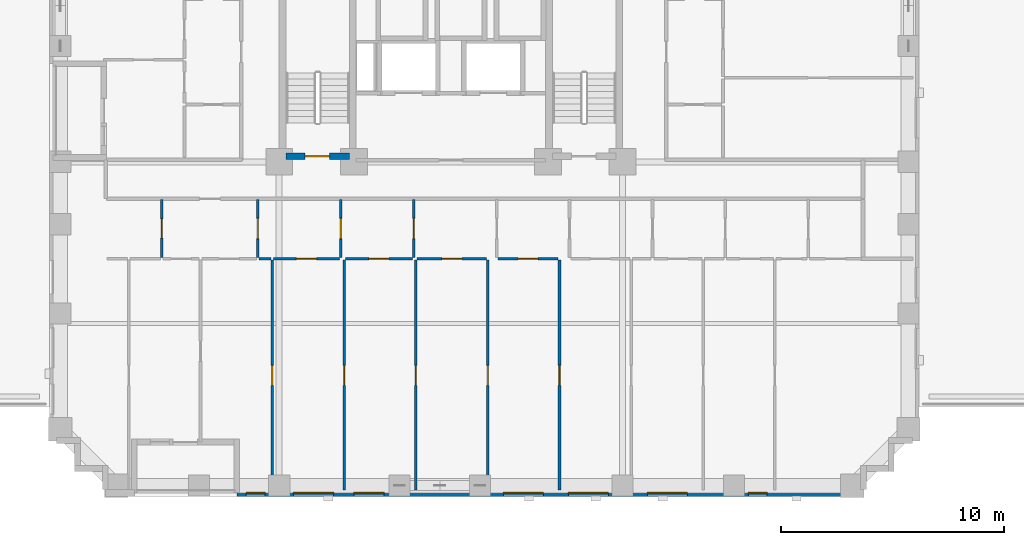
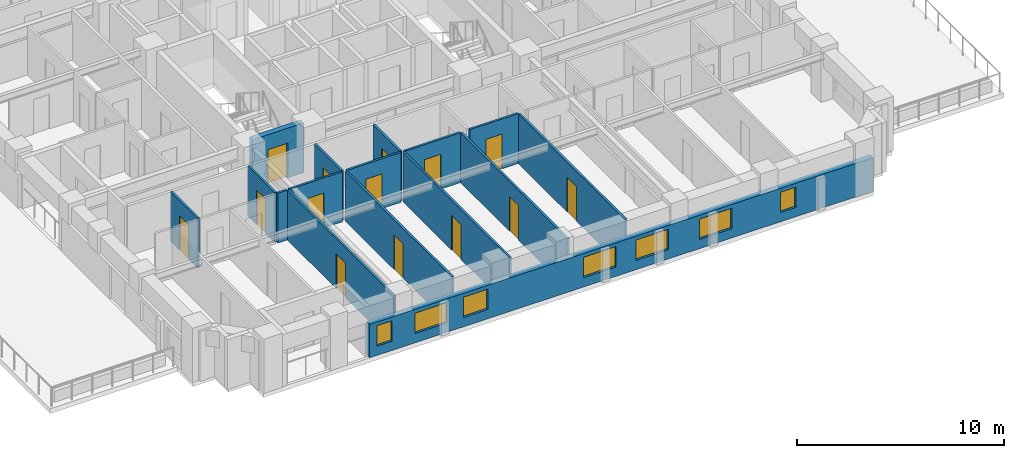
# One storey, part 3 of 14: 16 walls, 14 doors, 7 windows, 21 openings.
"""IFC4 building model written with IfcOpenShell, lengths in metres."""

from ifc_helpers import new_model, si_unit, derived_unit, direction, frame, frame_2d, origin, place, context, subcontext, project, spatial, rectangle, extrude, material, layer, layer_set, type_object, element, fill, save


model = new_model("IFC4")

# Units and contexts
model_context = context("Model", 3, precision=1e-05, world=origin(), true_north=direction((0.0, 1.0)))
body_context = subcontext(model_context, "Body", "Model", "MODEL_VIEW")
ifc_project = project(units=[si_unit("LENGTHUNIT", "METRE"), si_unit("AREAUNIT", "SQUARE_METRE"), si_unit("VOLUMEUNIT", "CUBIC_METRE"), si_unit("PLANEANGLEUNIT", "RADIAN"), si_unit("MASSUNIT", "GRAM", prefix="KILO"), derived_unit("THERMALTRANSMITTANCEUNIT", [(si_unit("MASSUNIT", "GRAM", prefix="KILO"), 1), (si_unit("TIMEUNIT", "SECOND"), -3), (si_unit("THERMODYNAMICTEMPERATUREUNIT", "KELVIN"), -1)])], contexts=[model_context])

# Site, building, storey
site_placement = place(None, origin())
site = spatial("IfcSite", under=ifc_project, at=site_placement, CompositionType="ELEMENT")
building_placement = place(site_placement, origin())
building = spatial("IfcBuilding", under=site, at=building_placement, Name="Korrvale Station Residences", CompositionType="ELEMENT")
storey_placement = place(building_placement, frame((0.0, 0.0, 25.800048828125)))
storey = spatial("IfcBuildingStorey", under=building, at=storey_placement, Name="L05", CompositionType="ELEMENT", Elevation=25.800048828125)

# Wall, opening, door
ifc_material_1 = material(Name="Concrete C70/85", Category="concrete")
ifc_layer_1 = layer(ifc_material_1, 0.300048828125, Name="Concrete C70/85")
ifc_layer_set_1 = layer_set([ifc_layer_1], Name="Concrete C70/85")
wall_type_1 = type_object("IfcWallType", Name="WAL-CORE-300-C70", PredefinedType="SHEAR", material=ifc_layer_set_1)
wall_1_placement = place(storey_placement, frame((18.10009765625, 15.25, 0.0), z_axis=(0.0, 0.0, 1.0), x_axis=(1.0, 0.0, 0.0)))
wall_1 = element("IfcWall", 1, at=wall_1_placement, inside=storey, type_object=wall_type_1, Name="L05 ST-1 Core Shear Wall South", PredefinedType="SHEAR", context=body_context, shape_type="SweptSolid", body=[
    extrude(rectangle(XDim=2.849853515625, YDim=0.300048828125, at=frame_2d((1.4248046875, 0.0))), origin(), (0.0, 0.0, 1.0), 2.93994140625),
])
opening_1_placement = place(wall_1_placement, frame((0.860107421875, 0.0, 0.0)))
opening_1 = element("IfcOpeningElement", 2, at=opening_1_placement, cuts=wall_1, Name="Opening SD-1100", PredefinedType="OPENING", context=body_context, shape_type="SweptSolid", body=[
    extrude(rectangle(XDim=1.10009765625, YDim=2.050048828125, at=frame_2d((0.550048828125, 1.02490234375))), frame((0.0, 0.16015625, 0.0), z_axis=(0.0, -1.0, 0.0), x_axis=(1.0, 0.0, 0.0)), (0.0, 0.0, 1.0), 0.320068359375),
])
ifc_material_2 = material(Name="Hollow-metal fire-rated stair door with closer", Category="steel")
door_type_1 = type_object("IfcDoorType", Name="DR-STAIR-1100", OperationType="NOTDEFINED", PredefinedType="DOOR", material=ifc_material_2)
door_1_placement = place(opening_1_placement, origin())
door_1 = element("IfcDoor", 3, at=door_1_placement, inside=storey, type_object=door_type_1, Name="L05 ST-1 Exit Stair Door", OperationType="SINGLE_SWING_LEFT", OverallHeight=2.050048828125, OverallWidth=1.10009765625, PredefinedType="DOOR", context=body_context, shape_type="SweptSolid", body=[
    extrude(rectangle(XDim=1.10009765625, YDim=2.050048828125, at=frame_2d((0.550048828125, 1.02490234375))), frame((0.0, 0.02490234375, 0.0), z_axis=(0.0, -1.0, 0.0), x_axis=(1.0, 0.0, 0.0)), (0.0, 0.0, 1.0), 0.050048828125),
])
fill(opening_1, door_1)

# Wall, openings, windows
ifc_material_3 = material(Name="Precast concrete C45/55", Category="concrete")
ifc_layer_2 = layer(ifc_material_3, 0.300048828125, Name="Precast concrete C45/55")
ifc_layer_set_2 = layer_set([ifc_layer_2], Name="Precast concrete C45/55")
wall_type_2 = type_object("IfcWallType", Name="WAL-EXT-PC300", PredefinedType="SOLIDWALL", material=ifc_layer_set_2)
wall_2_placement = place(storey_placement, frame((44.0, 0.14990234375, 0.0), z_axis=(0.0, 0.0, 1.0), x_axis=(-1.0, 0.0, 0.0)))
wall_2 = element("IfcWall", 4, at=wall_2_placement, inside=storey, type_object=wall_type_2, Name="L05 South Exterior Precast Wall 1", PredefinedType="SOLIDWALL", context=body_context, shape_type="SweptSolid", body=[
    extrude(rectangle(XDim=28.10009765625, YDim=0.300048828125, at=frame_2d((14.050048828125, 0.0))), origin(), (0.0, 0.0, 1.0), 1.974853515625),
])
opening_2_placement = place(wall_2_placement, frame((26.8349609375, 0.0, 0.550048828125)))
opening_2 = element("IfcOpeningElement", 5, at=opening_2_placement, cuts=wall_2, Name="Opening W-11", PredefinedType="OPENING", context=body_context, shape_type="SweptSolid", body=[
    extrude(rectangle(XDim=0.85009765625, YDim=1.199951171875, at=frame_2d((0.425048828125, 0.60009765625))), frame((0.0, 0.16015625, 0.0), z_axis=(0.0, -1.0, 0.0), x_axis=(1.0, 0.0, 0.0)), (0.0, 0.0, 1.0), 0.320068359375),
])
opening_3_placement = place(wall_2_placement, frame((23.764892578125, 0.0, 0.550048828125)))
opening_3 = element("IfcOpeningElement", 6, at=opening_3_placement, cuts=wall_2, Name="Opening W-09", PredefinedType="OPENING", context=body_context, shape_type="SweptSolid", body=[
    extrude(rectangle(XDim=1.800048828125, YDim=1.199951171875, at=frame_2d((0.89990234375, 0.60009765625))), frame((0.0, 0.16015625, 0.0), z_axis=(0.0, -1.0, 0.0), x_axis=(1.0, 0.0, 0.0)), (0.0, 0.0, 1.0), 0.320068359375),
])
opening_4_placement = place(wall_2_placement, frame((21.5, 0.0, 0.550048828125)))
opening_4 = element("IfcOpeningElement", 7, at=opening_4_placement, cuts=wall_2, Name="Opening W-10", PredefinedType="OPENING", context=body_context, shape_type="SweptSolid", body=[
    extrude(rectangle(XDim=1.35009765625, YDim=1.199951171875, at=frame_2d((0.675048828125, 0.60009765625))), frame((0.0, 0.16015625, 0.0), z_axis=(0.0, -1.0, 0.0), x_axis=(1.0, 0.0, 0.0)), (0.0, 0.0, 1.0), 0.320068359375),
])
opening_5_placement = place(wall_2_placement, frame((14.35205078125, 0.0, 0.550048828125)))
opening_5 = element("IfcOpeningElement", 8, at=opening_5_placement, cuts=wall_2, Name="Opening W-09", PredefinedType="OPENING", context=body_context, shape_type="SweptSolid", body=[
    extrude(rectangle(XDim=1.800048828125, YDim=1.199951171875, at=frame_2d((0.89990234375, 0.60009765625))), frame((0.0, 0.16015625, 0.0), z_axis=(0.0, -1.0, 0.0), x_axis=(1.0, 0.0, 0.0)), (0.0, 0.0, 1.0), 0.320068359375),
])
opening_6_placement = place(wall_2_placement, frame((11.43505859375, 0.0, 0.550048828125)))
opening_6 = element("IfcOpeningElement", 9, at=opening_6_placement, cuts=wall_2, Name="Opening W-09", PredefinedType="OPENING", context=body_context, shape_type="SweptSolid", body=[
    extrude(rectangle(XDim=1.800048828125, YDim=1.199951171875, at=frame_2d((0.89990234375, 0.60009765625))), frame((0.0, 0.16015625, 0.0), z_axis=(0.0, -1.0, 0.0), x_axis=(1.0, 0.0, 0.0)), (0.0, 0.0, 1.0), 0.320068359375),
])
opening_7_placement = place(wall_2_placement, frame((7.89111328125, 0.0, 0.550048828125)))
opening_7 = element("IfcOpeningElement", 10, at=opening_7_placement, cuts=wall_2, Name="Opening W-09", PredefinedType="OPENING", context=body_context, shape_type="SweptSolid", body=[
    extrude(rectangle(XDim=1.800048828125, YDim=1.199951171875, at=frame_2d((0.89990234375, 0.60009765625))), frame((0.0, 0.16015625, 0.0), z_axis=(0.0, -1.0, 0.0), x_axis=(1.0, 0.0, 0.0)), (0.0, 0.0, 1.0), 0.320068359375),
])
opening_8_placement = place(wall_2_placement, frame((4.31494140625, 0.0, 0.550048828125)))
opening_8 = element("IfcOpeningElement", 11, at=opening_8_placement, cuts=wall_2, Name="Opening W-11", PredefinedType="OPENING", context=body_context, shape_type="SweptSolid", body=[
    extrude(rectangle(XDim=0.85009765625, YDim=1.199951171875, at=frame_2d((0.425048828125, 0.60009765625))), frame((0.0, 0.16015625, 0.0), z_axis=(0.0, -1.0, 0.0), x_axis=(1.0, 0.0, 0.0)), (0.0, 0.0, 1.0), 0.320068359375),
])
ifc_material_4 = material(Name="Thermally broken aluminium frame with triple low-e glazing", Category="aluminium")
window_type_1 = type_object("IfcWindowType", Name="WIN-W09", PartitioningType="DOUBLE_PANEL_VERTICAL", PredefinedType="WINDOW", material=ifc_material_4)
window_1_placement = place(opening_3_placement, origin())
window_1 = element("IfcWindow", 12, at=window_1_placement, inside=storey, type_object=window_type_1, Name="L05 Punched Window 05", OverallHeight=1.199951171875, OverallWidth=1.800048828125, PartitioningType="DOUBLE_PANEL_VERTICAL", PredefinedType="WINDOW", context=body_context, shape_type="SweptSolid", body=[
    extrude(rectangle(XDim=1.800048828125, YDim=1.199951171875, at=frame_2d((0.89990234375, 0.60009765625))), frame((0.0, 0.030029296875, 0.0), z_axis=(0.0, -1.0, 0.0), x_axis=(1.0, 0.0, 0.0)), (0.0, 0.0, 1.0), 0.06005859375),
])
fill(opening_3, window_1)
window_2_placement = place(opening_5_placement, origin())
window_2 = element("IfcWindow", 13, at=window_2_placement, inside=storey, type_object=window_type_1, Name="L05 Punched Window 07", OverallHeight=1.199951171875, OverallWidth=1.800048828125, PartitioningType="DOUBLE_PANEL_VERTICAL", PredefinedType="WINDOW", context=body_context, shape_type="SweptSolid", body=[
    extrude(rectangle(XDim=1.800048828125, YDim=1.199951171875, at=frame_2d((0.89990234375, 0.60009765625))), frame((0.0, 0.030029296875, 0.0), z_axis=(0.0, -1.0, 0.0), x_axis=(1.0, 0.0, 0.0)), (0.0, 0.0, 1.0), 0.06005859375),
])
fill(opening_5, window_2)
window_3_placement = place(opening_6_placement, origin())
window_3 = element("IfcWindow", 14, at=window_3_placement, inside=storey, type_object=window_type_1, Name="L05 Punched Window 08", OverallHeight=1.199951171875, OverallWidth=1.800048828125, PartitioningType="DOUBLE_PANEL_VERTICAL", PredefinedType="WINDOW", context=body_context, shape_type="SweptSolid", body=[
    extrude(rectangle(XDim=1.800048828125, YDim=1.199951171875, at=frame_2d((0.89990234375, 0.60009765625))), frame((0.0, 0.030029296875, 0.0), z_axis=(0.0, -1.0, 0.0), x_axis=(1.0, 0.0, 0.0)), (0.0, 0.0, 1.0), 0.06005859375),
])
fill(opening_6, window_3)
window_4_placement = place(opening_7_placement, origin())
window_4 = element("IfcWindow", 15, at=window_4_placement, inside=storey, type_object=window_type_1, Name="L05 Punched Window 09", OverallHeight=1.199951171875, OverallWidth=1.800048828125, PartitioningType="DOUBLE_PANEL_VERTICAL", PredefinedType="WINDOW", context=body_context, shape_type="SweptSolid", body=[
    extrude(rectangle(XDim=1.800048828125, YDim=1.199951171875, at=frame_2d((0.89990234375, 0.60009765625))), frame((0.0, 0.030029296875, 0.0), z_axis=(0.0, -1.0, 0.0), x_axis=(1.0, 0.0, 0.0)), (0.0, 0.0, 1.0), 0.06005859375),
])
fill(opening_7, window_4)
window_type_2 = type_object("IfcWindowType", Name="WIN-W10", PartitioningType="SINGLE_PANEL", PredefinedType="WINDOW", material=ifc_material_4)
window_5_placement = place(opening_4_placement, origin())
window_5 = element("IfcWindow", 16, at=window_5_placement, inside=storey, type_object=window_type_2, Name="L05 Punched Window 06", OverallHeight=1.199951171875, OverallWidth=1.35009765625, PartitioningType="SINGLE_PANEL", PredefinedType="WINDOW", context=body_context, shape_type="SweptSolid", body=[
    extrude(rectangle(XDim=1.35009765625, YDim=1.199951171875, at=frame_2d((0.675048828125, 0.60009765625))), frame((0.0, 0.030029296875, 0.0), z_axis=(0.0, -1.0, 0.0), x_axis=(1.0, 0.0, 0.0)), (0.0, 0.0, 1.0), 0.06005859375),
])
fill(opening_4, window_5)
window_type_3 = type_object("IfcWindowType", Name="WIN-W11", PartitioningType="SINGLE_PANEL", PredefinedType="WINDOW", material=ifc_material_4)
window_6_placement = place(opening_2_placement, origin())
window_6 = element("IfcWindow", 17, at=window_6_placement, inside=storey, type_object=window_type_3, Name="L05 Punched Window 04", OverallHeight=1.199951171875, OverallWidth=0.85009765625, PartitioningType="SINGLE_PANEL", PredefinedType="WINDOW", context=body_context, shape_type="SweptSolid", body=[
    extrude(rectangle(XDim=0.85009765625, YDim=1.199951171875, at=frame_2d((0.425048828125, 0.60009765625))), frame((0.0, 0.030029296875, 0.0), z_axis=(0.0, -1.0, 0.0), x_axis=(1.0, 0.0, 0.0)), (0.0, 0.0, 1.0), 0.06005859375),
])
fill(opening_2, window_6)
window_7_placement = place(opening_8_placement, origin())
window_7 = element("IfcWindow", 18, at=window_7_placement, inside=storey, type_object=window_type_3, Name="L05 Punched Window 10", OverallHeight=1.199951171875, OverallWidth=0.85009765625, PartitioningType="SINGLE_PANEL", PredefinedType="WINDOW", context=body_context, shape_type="SweptSolid", body=[
    extrude(rectangle(XDim=0.85009765625, YDim=1.199951171875, at=frame_2d((0.425048828125, 0.60009765625))), frame((0.0, 0.030029296875, 0.0), z_axis=(0.0, -1.0, 0.0), x_axis=(1.0, 0.0, 0.0)), (0.0, 0.0, 1.0), 0.06005859375),
])
fill(opening_8, window_7)

# Wall, opening, door
ifc_material_5 = material(Name="Acoustic steel-stud gypsum board partition", Category="steel")
ifc_layer_3 = layer(ifc_material_5, 0.1201171875, Name="Acoustic steel-stud gypsum board partition")
ifc_layer_set_3 = layer_set([ifc_layer_3], Name="Acoustic steel-stud gypsum board partition")
wall_type_3 = type_object("IfcWallType", Name="WAL-PART-125", PredefinedType="PARTITIONING", material=ifc_layer_set_3)
wall_3_placement = place(storey_placement, frame((12.5400390625, 10.7099609375, 0.0), z_axis=(0.0, 0.0, 1.0), x_axis=(0.0, 1.0, 0.0)))
wall_3 = element("IfcWall", 19, at=wall_3_placement, inside=storey, type_object=wall_type_3, Name="L05 Suite Partition U01-V01", PredefinedType="PARTITIONING", context=body_context, shape_type="SweptSolid", body=[
    extrude(rectangle(XDim=2.60009765625, YDim=0.1201171875, at=frame_2d((1.300048828125, 0.0))), origin(), (0.0, 0.0, 1.0), 2.93994140625),
])
opening_9_placement = place(wall_3_placement, frame((0.8701171875, 0.0, 0.0)))
opening_9 = element("IfcOpeningElement", 20, at=opening_9_placement, cuts=wall_3, Name="Opening DB-860", PredefinedType="OPENING", context=body_context, shape_type="SweptSolid", body=[
    extrude(rectangle(XDim=0.860107421875, YDim=2.050048828125, at=frame_2d((0.43017578125, 1.02490234375))), frame((0.0, 0.070068359375, 0.0), z_axis=(0.0, -1.0, 0.0), x_axis=(1.0, 0.0, 0.0)), (0.0, 0.0, 1.0), 0.14013671875),
])
ifc_material_6 = material(Name="Moisture-resistant solid-core bathroom door", Category="timber")
door_type_2 = type_object("IfcDoorType", Name="DR-BATH-860", OperationType="NOTDEFINED", PredefinedType="DOOR", material=ifc_material_6)
door_2_placement = place(opening_9_placement, origin())
door_2 = element("IfcDoor", 21, at=door_2_placement, inside=storey, type_object=door_type_2, Name="L05 Studio Apartment L05-U01 Bathroom Door", OperationType="SINGLE_SWING_LEFT", OverallHeight=2.050048828125, OverallWidth=0.860107421875, PredefinedType="DOOR", context=body_context, shape_type="SweptSolid", body=[
    extrude(rectangle(XDim=0.860107421875, YDim=2.050048828125, at=frame_2d((0.43017578125, 1.02490234375))), frame((0.0, 0.02490234375, 0.0), z_axis=(0.0, -1.0, 0.0), x_axis=(1.0, 0.0, 0.0)), (0.0, 0.0, 1.0), 0.050048828125),
])
fill(opening_9, door_2)

wall_4_placement = place(storey_placement, frame((16.840087890625, 10.7099609375, 0.0), z_axis=(0.0, 0.0, 1.0), x_axis=(0.0, 1.0, 0.0)))
wall_4 = element("IfcWall", 22, at=wall_4_placement, inside=storey, type_object=wall_type_3, Name="L05 Suite Partition U01-V12", PredefinedType="PARTITIONING", context=body_context, shape_type="SweptSolid", body=[
    extrude(rectangle(XDim=2.60009765625, YDim=0.1201171875, at=frame_2d((1.300048828125, 0.0))), origin(), (0.0, 0.0, 1.0), 2.93994140625),
])
opening_10_placement = place(wall_4_placement, frame((0.85009765625, 0.0, 0.0)))
opening_10 = element("IfcOpeningElement", 23, at=opening_10_placement, cuts=wall_4, Name="Opening DI-900", PredefinedType="OPENING", context=body_context, shape_type="SweptSolid", body=[
    extrude(rectangle(XDim=0.89990234375, YDim=2.050048828125, at=frame_2d((0.449951171875, 1.02490234375))), frame((0.0, 0.070068359375, 0.0), z_axis=(0.0, -1.0, 0.0), x_axis=(1.0, 0.0, 0.0)), (0.0, 0.0, 1.0), 0.14013671875),
])
ifc_material_7 = material(Name="Painted solid-core timber interior room door", Category="wood")
door_type_3 = type_object("IfcDoorType", Name="DR-INT-900", OperationType="NOTDEFINED", PredefinedType="DOOR", material=ifc_material_7)
door_3_placement = place(opening_10_placement, origin())
door_3 = element("IfcDoor", 24, at=door_3_placement, inside=storey, type_object=door_type_3, Name="L05 Studio Apartment L05-U01 Kitchen Door", OperationType="SINGLE_SWING_RIGHT", OverallHeight=2.050048828125, OverallWidth=0.89990234375, PredefinedType="DOOR", context=body_context, shape_type="SweptSolid", body=[
    extrude(rectangle(XDim=0.89990234375, YDim=2.050048828125, at=frame_2d((0.449951171875, 1.02490234375))), frame((0.0, 0.02490234375, 0.0), z_axis=(0.0, -1.0, 0.0), x_axis=(1.0, 0.0, 0.0)), (0.0, 0.0, 1.0), 0.050048828125),
])
fill(opening_10, door_3)

wall_5_placement = place(storey_placement, frame((20.56005859375, 10.7099609375, 0.0), z_axis=(0.0, 0.0, 1.0), x_axis=(0.0, 1.0, 0.0)))
wall_5 = element("IfcWall", 25, at=wall_5_placement, inside=storey, type_object=wall_type_3, Name="L05 Suite Partition U01-V23", PredefinedType="PARTITIONING", context=body_context, shape_type="SweptSolid", body=[
    extrude(rectangle(XDim=2.60009765625, YDim=0.1201171875, at=frame_2d((1.300048828125, 0.0))), origin(), (0.0, 0.0, 1.0), 2.93994140625),
])
opening_11_placement = place(wall_5_placement, frame((0.85009765625, 0.0, 0.0)))
opening_11 = element("IfcOpeningElement", 26, at=opening_11_placement, cuts=wall_5, Name="Opening DI-900", PredefinedType="OPENING", context=body_context, shape_type="SweptSolid", body=[
    extrude(rectangle(XDim=0.89990234375, YDim=2.050048828125, at=frame_2d((0.449951171875, 1.02490234375))), frame((0.0, 0.070068359375, 0.0), z_axis=(0.0, -1.0, 0.0), x_axis=(1.0, 0.0, 0.0)), (0.0, 0.0, 1.0), 0.14013671875),
])
door_4_placement = place(opening_11_placement, origin())
door_4 = element("IfcDoor", 27, at=door_4_placement, inside=storey, type_object=door_type_3, Name="L05 Studio Apartment L05-U01 Utility and Laundry Room Door", OperationType="SINGLE_SWING_LEFT", OverallHeight=2.050048828125, OverallWidth=0.89990234375, PredefinedType="DOOR", context=body_context, shape_type="SweptSolid", body=[
    extrude(rectangle(XDim=0.89990234375, YDim=2.050048828125, at=frame_2d((0.449951171875, 1.02490234375))), frame((0.0, 0.02490234375, 0.0), z_axis=(0.0, -1.0, 0.0), x_axis=(1.0, 0.0, 0.0)), (0.0, 0.0, 1.0), 0.050048828125),
])
fill(opening_11, door_4)

# Wall
wall_6_placement = place(storey_placement, frame((16.89990234375, 10.64990234375, 0.0), z_axis=(0.0, 0.0, 1.0), x_axis=(1.0, 0.0, 0.0)))
element("IfcWall", 28, at=wall_6_placement, inside=storey, type_object=wall_type_3, Name="L05 Suite Partition U01-H212", PredefinedType="PARTITIONING", context=body_context, shape_type="SweptSolid", body=[
    extrude(rectangle(XDim=0.530029296875, YDim=0.1201171875, at=frame_2d((0.26513671875, 0.0))), origin(), (0.0, 0.0, 1.0), 2.93994140625),
])

# Wall, opening, door
wall_7_placement = place(storey_placement, frame((17.550048828125, 10.64990234375, 0.0), z_axis=(0.0, 0.0, 1.0), x_axis=(1.0, 0.0, 0.0)))
wall_7 = element("IfcWall", 29, at=wall_7_placement, inside=storey, type_object=wall_type_3, Name="L05 Suite Partition U01-H213", PredefinedType="PARTITIONING", context=body_context, shape_type="SweptSolid", body=[
    extrude(rectangle(XDim=2.949951171875, YDim=0.1201171875, at=frame_2d((1.47509765625, 0.0))), origin(), (0.0, 0.0, 1.0), 2.93994140625),
])
opening_12_placement = place(wall_7_placement, frame((1.02490234375, 0.0, 0.0)))
opening_12 = element("IfcOpeningElement", 30, at=opening_12_placement, cuts=wall_7, Name="Opening DI-900", PredefinedType="OPENING", context=body_context, shape_type="SweptSolid", body=[
    extrude(rectangle(XDim=0.89990234375, YDim=2.050048828125, at=frame_2d((0.449951171875, 1.02490234375))), frame((0.0, 0.070068359375, 0.0), z_axis=(0.0, -1.0, 0.0), x_axis=(1.0, 0.0, 0.0)), (0.0, 0.0, 1.0), 0.14013671875),
])
door_5_placement = place(opening_12_placement, origin())
door_5 = element("IfcDoor", 31, at=door_5_placement, inside=storey, type_object=door_type_3, Name="L05 Studio Apartment L05-U01 Utility and Laundry Room Door", OperationType="SINGLE_SWING_RIGHT", OverallHeight=2.050048828125, OverallWidth=0.89990234375, PredefinedType="DOOR", context=body_context, shape_type="SweptSolid", body=[
    extrude(rectangle(XDim=0.89990234375, YDim=2.050048828125, at=frame_2d((0.449951171875, 1.02490234375))), frame((0.0, 0.02490234375, 0.0), z_axis=(0.0, -1.0, 0.0), x_axis=(1.0, 0.0, 0.0)), (0.0, 0.0, 1.0), 0.050048828125),
])
fill(opening_12, door_5)

wall_8_placement = place(storey_placement, frame((23.830078125, 10.7099609375, 0.0), z_axis=(0.0, 0.0, 1.0), x_axis=(0.0, 1.0, 0.0)))
wall_8 = element("IfcWall", 32, at=wall_8_placement, inside=storey, type_object=wall_type_3, Name="L05 Suite Partition U01-V34", PredefinedType="PARTITIONING", context=body_context, shape_type="SweptSolid", body=[
    extrude(rectangle(XDim=2.60009765625, YDim=0.1201171875, at=frame_2d((1.300048828125, 0.0))), origin(), (0.0, 0.0, 1.0), 2.93994140625),
])
opening_13_placement = place(wall_8_placement, frame((0.85009765625, 0.0, 0.0)))
opening_13 = element("IfcOpeningElement", 33, at=opening_13_placement, cuts=wall_8, Name="Opening DI-900", PredefinedType="OPENING", context=body_context, shape_type="SweptSolid", body=[
    extrude(rectangle(XDim=0.89990234375, YDim=2.050048828125, at=frame_2d((0.449951171875, 1.02490234375))), frame((0.0, 0.070068359375, 0.0), z_axis=(0.0, -1.0, 0.0), x_axis=(1.0, 0.0, 0.0)), (0.0, 0.0, 1.0), 0.14013671875),
])
door_6_placement = place(opening_13_placement, origin())
door_6 = element("IfcDoor", 34, at=door_6_placement, inside=storey, type_object=door_type_3, Name="L05 Studio Apartment L05-U01 Storage Closet 2 Door", OperationType="SINGLE_SWING_LEFT", OverallHeight=2.050048828125, OverallWidth=0.89990234375, PredefinedType="DOOR", context=body_context, shape_type="SweptSolid", body=[
    extrude(rectangle(XDim=0.89990234375, YDim=2.050048828125, at=frame_2d((0.449951171875, 1.02490234375))), frame((0.0, 0.02490234375, 0.0), z_axis=(0.0, -1.0, 0.0), x_axis=(1.0, 0.0, 0.0)), (0.0, 0.0, 1.0), 0.050048828125),
])
fill(opening_13, door_6)

wall_9_placement = place(storey_placement, frame((20.77001953125, 10.64990234375, 0.0), z_axis=(0.0, 0.0, 1.0), x_axis=(1.0, 0.0, 0.0)))
wall_9 = element("IfcWall", 35, at=wall_9_placement, inside=storey, type_object=wall_type_3, Name="L05 Suite Partition U01-H314", PredefinedType="PARTITIONING", context=body_context, shape_type="SweptSolid", body=[
    extrude(rectangle(XDim=3.0, YDim=0.1201171875, at=frame_2d((1.5, 0.0))), origin(), (0.0, 0.0, 1.0), 2.93994140625),
])
opening_14_placement = place(wall_9_placement, frame((1.050048828125, 0.0, 0.0)))
opening_14 = element("IfcOpeningElement", 36, at=opening_14_placement, cuts=wall_9, Name="Opening DI-900", PredefinedType="OPENING", context=body_context, shape_type="SweptSolid", body=[
    extrude(rectangle(XDim=0.89990234375, YDim=2.050048828125, at=frame_2d((0.449951171875, 1.02490234375))), frame((0.0, 0.070068359375, 0.0), z_axis=(0.0, -1.0, 0.0), x_axis=(1.0, 0.0, 0.0)), (0.0, 0.0, 1.0), 0.14013671875),
])
door_7_placement = place(opening_14_placement, origin())
door_7 = element("IfcDoor", 37, at=door_7_placement, inside=storey, type_object=door_type_3, Name="L05 Studio Apartment L05-U01 Storage Closet 2 Door", OperationType="SINGLE_SWING_RIGHT", OverallHeight=2.050048828125, OverallWidth=0.89990234375, PredefinedType="DOOR", context=body_context, shape_type="SweptSolid", body=[
    extrude(rectangle(XDim=0.89990234375, YDim=2.050048828125, at=frame_2d((0.449951171875, 1.02490234375))), frame((0.0, 0.02490234375, 0.0), z_axis=(0.0, -1.0, 0.0), x_axis=(1.0, 0.0, 0.0)), (0.0, 0.0, 1.0), 0.050048828125),
])
fill(opening_14, door_7)

wall_10_placement = place(storey_placement, frame((23.989990234375, 10.64990234375, 0.0), z_axis=(0.0, 0.0, 1.0), x_axis=(1.0, 0.0, 0.0)))
wall_10 = element("IfcWall", 38, at=wall_10_placement, inside=storey, type_object=wall_type_3, Name="L05 Suite Partition U01-H415", PredefinedType="PARTITIONING", context=body_context, shape_type="SweptSolid", body=[
    extrude(rectangle(XDim=3.10009765625, YDim=0.1201171875, at=frame_2d((1.550048828125, 0.0))), origin(), (0.0, 0.0, 1.0), 2.93994140625),
])
opening_15_placement = place(wall_10_placement, frame((1.10009765625, 0.0, 0.0)))
opening_15 = element("IfcOpeningElement", 39, at=opening_15_placement, cuts=wall_10, Name="Opening DI-900", PredefinedType="OPENING", context=body_context, shape_type="SweptSolid", body=[
    extrude(rectangle(XDim=0.89990234375, YDim=2.050048828125, at=frame_2d((0.449951171875, 1.02490234375))), frame((0.0, 0.070068359375, 0.0), z_axis=(0.0, -1.0, 0.0), x_axis=(1.0, 0.0, 0.0)), (0.0, 0.0, 1.0), 0.14013671875),
])
door_8_placement = place(opening_15_placement, origin())
door_8 = element("IfcDoor", 40, at=door_8_placement, inside=storey, type_object=door_type_3, Name="L05 Studio Apartment L05-U01 Storage Closet 3 Door", OperationType="SINGLE_SWING_RIGHT", OverallHeight=2.050048828125, OverallWidth=0.89990234375, PredefinedType="DOOR", context=body_context, shape_type="SweptSolid", body=[
    extrude(rectangle(XDim=0.89990234375, YDim=2.050048828125, at=frame_2d((0.449951171875, 1.02490234375))), frame((0.0, 0.02490234375, 0.0), z_axis=(0.0, -1.0, 0.0), x_axis=(1.0, 0.0, 0.0)), (0.0, 0.0, 1.0), 0.050048828125),
])
fill(opening_15, door_8)

wall_11_placement = place(storey_placement, frame((27.610107421875, 10.64990234375, 0.0), z_axis=(0.0, 0.0, 1.0), x_axis=(1.0, 0.0, 0.0)))
wall_11 = element("IfcWall", 41, at=wall_11_placement, inside=storey, type_object=wall_type_3, Name="L05 Suite Partition U01-H516", PredefinedType="PARTITIONING", context=body_context, shape_type="SweptSolid", body=[
    extrude(rectangle(XDim=2.699951171875, YDim=0.1201171875, at=frame_2d((1.35009765625, 0.0))), origin(), (0.0, 0.0, 1.0), 2.93994140625),
])
opening_16_placement = place(wall_11_placement, frame((0.89990234375, 0.0, 0.0)))
opening_16 = element("IfcOpeningElement", 42, at=opening_16_placement, cuts=wall_11, Name="Opening DI-900", PredefinedType="OPENING", context=body_context, shape_type="SweptSolid", body=[
    extrude(rectangle(XDim=0.89990234375, YDim=2.050048828125, at=frame_2d((0.449951171875, 1.02490234375))), frame((0.0, 0.070068359375, 0.0), z_axis=(0.0, -1.0, 0.0), x_axis=(1.0, 0.0, 0.0)), (0.0, 0.0, 1.0), 0.14013671875),
])
door_9_placement = place(opening_16_placement, origin())
door_9 = element("IfcDoor", 43, at=door_9_placement, inside=storey, type_object=door_type_3, Name="L05 Studio Apartment L05-U01 Storage Closet 4 Door", OperationType="SINGLE_SWING_RIGHT", OverallHeight=2.050048828125, OverallWidth=0.89990234375, PredefinedType="DOOR", context=body_context, shape_type="SweptSolid", body=[
    extrude(rectangle(XDim=0.89990234375, YDim=2.050048828125, at=frame_2d((0.449951171875, 1.02490234375))), frame((0.0, 0.02490234375, 0.0), z_axis=(0.0, -1.0, 0.0), x_axis=(1.0, 0.0, 0.0)), (0.0, 0.0, 1.0), 0.050048828125),
])
fill(opening_16, door_9)

wall_12_placement = place(storey_placement, frame((17.489990234375, 0.280029296875, 0.0), z_axis=(0.0, 0.0, 1.0), x_axis=(0.0, 1.0, 0.0)))
wall_12 = element("IfcWall", 44, at=wall_12_placement, inside=storey, type_object=wall_type_3, Name="L05 Suite Partition U01-V1213", PredefinedType="PARTITIONING", context=body_context, shape_type="SweptSolid", body=[
    extrude(rectangle(XDim=10.31005859375, YDim=0.1201171875, at=frame_2d((5.155029296875, 0.0))), origin(), (0.0, 0.0, 1.0), 2.93994140625),
])
opening_17_placement = place(wall_12_placement, frame((4.68994140625, 0.0, 0.0)))
opening_17 = element("IfcOpeningElement", 45, at=opening_17_placement, cuts=wall_12, Name="Opening DI-900", PredefinedType="OPENING", context=body_context, shape_type="SweptSolid", body=[
    extrude(rectangle(XDim=0.89990234375, YDim=2.050048828125, at=frame_2d((0.449951171875, 1.02490234375))), frame((0.0, 0.070068359375, 0.0), z_axis=(0.0, -1.0, 0.0), x_axis=(1.0, 0.0, 0.0)), (0.0, 0.0, 1.0), 0.14013671875),
])
door_10_placement = place(opening_17_placement, origin())
door_10 = element("IfcDoor", 46, at=door_10_placement, inside=storey, type_object=door_type_3, Name="L05 Studio Apartment L05-U01 Formal Dining Room Door", OperationType="SINGLE_SWING_LEFT", OverallHeight=2.050048828125, OverallWidth=0.89990234375, PredefinedType="DOOR", context=body_context, shape_type="SweptSolid", body=[
    extrude(rectangle(XDim=0.89990234375, YDim=2.050048828125, at=frame_2d((0.449951171875, 1.02490234375))), frame((0.0, 0.02490234375, 0.0), z_axis=(0.0, -1.0, 0.0), x_axis=(1.0, 0.0, 0.0)), (0.0, 0.0, 1.0), 0.050048828125),
])
fill(opening_17, door_10)

wall_13_placement = place(storey_placement, frame((20.7099609375, 0.280029296875, 0.0), z_axis=(0.0, 0.0, 1.0), x_axis=(0.0, 1.0, 0.0)))
wall_13 = element("IfcWall", 47, at=wall_13_placement, inside=storey, type_object=wall_type_3, Name="L05 Suite Partition U01-V1314", PredefinedType="PARTITIONING", context=body_context, shape_type="SweptSolid", body=[
    extrude(rectangle(XDim=10.31005859375, YDim=0.1201171875, at=frame_2d((5.155029296875, 0.0))), origin(), (0.0, 0.0, 1.0), 2.93994140625),
])
opening_18_placement = place(wall_13_placement, frame((4.68994140625, 0.0, 0.0)))
opening_18 = element("IfcOpeningElement", 48, at=opening_18_placement, cuts=wall_13, Name="Opening DI-900", PredefinedType="OPENING", context=body_context, shape_type="SweptSolid", body=[
    extrude(rectangle(XDim=0.89990234375, YDim=2.050048828125, at=frame_2d((0.449951171875, 1.02490234375))), frame((0.0, 0.070068359375, 0.0), z_axis=(0.0, -1.0, 0.0), x_axis=(1.0, 0.0, 0.0)), (0.0, 0.0, 1.0), 0.14013671875),
])
door_11_placement = place(opening_18_placement, origin())
door_11 = element("IfcDoor", 49, at=door_11_placement, inside=storey, type_object=door_type_3, Name="L05 Studio Apartment L05-U01 Formal Dining Room Door", OperationType="SINGLE_SWING_RIGHT", OverallHeight=2.050048828125, OverallWidth=0.89990234375, PredefinedType="DOOR", context=body_context, shape_type="SweptSolid", body=[
    extrude(rectangle(XDim=0.89990234375, YDim=2.050048828125, at=frame_2d((0.449951171875, 1.02490234375))), frame((0.0, 0.02490234375, 0.0), z_axis=(0.0, -1.0, 0.0), x_axis=(1.0, 0.0, 0.0)), (0.0, 0.0, 1.0), 0.050048828125),
])
fill(opening_18, door_11)

wall_14_placement = place(storey_placement, frame((23.929931640625, 0.280029296875, 0.0), z_axis=(0.0, 0.0, 1.0), x_axis=(0.0, 1.0, 0.0)))
wall_14 = element("IfcWall", 50, at=wall_14_placement, inside=storey, type_object=wall_type_3, Name="L05 Suite Partition U01-V1415", PredefinedType="PARTITIONING", context=body_context, shape_type="SweptSolid", body=[
    extrude(rectangle(XDim=10.31005859375, YDim=0.1201171875, at=frame_2d((5.155029296875, 0.0))), origin(), (0.0, 0.0, 1.0), 2.93994140625),
])
opening_19_placement = place(wall_14_placement, frame((4.68994140625, 0.0, 0.0)))
opening_19 = element("IfcOpeningElement", 51, at=opening_19_placement, cuts=wall_14, Name="Opening DI-900", PredefinedType="OPENING", context=body_context, shape_type="SweptSolid", body=[
    extrude(rectangle(XDim=0.89990234375, YDim=2.050048828125, at=frame_2d((0.449951171875, 1.02490234375))), frame((0.0, 0.070068359375, 0.0), z_axis=(0.0, -1.0, 0.0), x_axis=(1.0, 0.0, 0.0)), (0.0, 0.0, 1.0), 0.14013671875),
])
door_12_placement = place(opening_19_placement, origin())
door_12 = element("IfcDoor", 52, at=door_12_placement, inside=storey, type_object=door_type_3, Name="L05 Studio Apartment L05-U01 Formal Dining Room Door", OperationType="SINGLE_SWING_LEFT", OverallHeight=2.050048828125, OverallWidth=0.89990234375, PredefinedType="DOOR", context=body_context, shape_type="SweptSolid", body=[
    extrude(rectangle(XDim=0.89990234375, YDim=2.050048828125, at=frame_2d((0.449951171875, 1.02490234375))), frame((0.0, 0.02490234375, 0.0), z_axis=(0.0, -1.0, 0.0), x_axis=(1.0, 0.0, 0.0)), (0.0, 0.0, 1.0), 0.050048828125),
])
fill(opening_19, door_12)

wall_15_placement = place(storey_placement, frame((27.14990234375, 0.280029296875, 0.0), z_axis=(0.0, 0.0, 1.0), x_axis=(0.0, 1.0, 0.0)))
wall_15 = element("IfcWall", 53, at=wall_15_placement, inside=storey, type_object=wall_type_3, Name="L05 Suite Partition U01-V1516", PredefinedType="PARTITIONING", context=body_context, shape_type="SweptSolid", body=[
    extrude(rectangle(XDim=10.31005859375, YDim=0.1201171875, at=frame_2d((5.155029296875, 0.0))), origin(), (0.0, 0.0, 1.0), 2.93994140625),
])
opening_20_placement = place(wall_15_placement, frame((4.68994140625, 0.0, 0.0)))
opening_20 = element("IfcOpeningElement", 54, at=opening_20_placement, cuts=wall_15, Name="Opening DI-900", PredefinedType="OPENING", context=body_context, shape_type="SweptSolid", body=[
    extrude(rectangle(XDim=0.89990234375, YDim=2.050048828125, at=frame_2d((0.449951171875, 1.02490234375))), frame((0.0, 0.070068359375, 0.0), z_axis=(0.0, -1.0, 0.0), x_axis=(1.0, 0.0, 0.0)), (0.0, 0.0, 1.0), 0.14013671875),
])
door_13_placement = place(opening_20_placement, origin())
door_13 = element("IfcDoor", 55, at=door_13_placement, inside=storey, type_object=door_type_3, Name="L05 Studio Apartment L05-U01 Walk-In Wardrobe Door", OperationType="SINGLE_SWING_RIGHT", OverallHeight=2.050048828125, OverallWidth=0.89990234375, PredefinedType="DOOR", context=body_context, shape_type="SweptSolid", body=[
    extrude(rectangle(XDim=0.89990234375, YDim=2.050048828125, at=frame_2d((0.449951171875, 1.02490234375))), frame((0.0, 0.02490234375, 0.0), z_axis=(0.0, -1.0, 0.0), x_axis=(1.0, 0.0, 0.0)), (0.0, 0.0, 1.0), 0.050048828125),
])
fill(opening_20, door_13)

wall_16_placement = place(storey_placement, frame((30.3701171875, 0.280029296875, 0.0), z_axis=(0.0, 0.0, 1.0), x_axis=(0.0, 1.0, 0.0)))
wall_16 = element("IfcWall", 56, at=wall_16_placement, inside=storey, type_object=wall_type_3, Name="L05 Suite Partition U01-V1617", PredefinedType="PARTITIONING", context=body_context, shape_type="SweptSolid", body=[
    extrude(rectangle(XDim=10.31005859375, YDim=0.1201171875, at=frame_2d((5.155029296875, 0.0))), origin(), (0.0, 0.0, 1.0), 2.93994140625),
])
opening_21_placement = place(wall_16_placement, frame((4.68994140625, 0.0, 0.0)))
opening_21 = element("IfcOpeningElement", 57, at=opening_21_placement, cuts=wall_16, Name="Opening DI-900", PredefinedType="OPENING", context=body_context, shape_type="SweptSolid", body=[
    extrude(rectangle(XDim=0.89990234375, YDim=2.050048828125, at=frame_2d((0.449951171875, 1.02490234375))), frame((0.0, 0.070068359375, 0.0), z_axis=(0.0, -1.0, 0.0), x_axis=(1.0, 0.0, 0.0)), (0.0, 0.0, 1.0), 0.14013671875),
])
door_14_placement = place(opening_21_placement, origin())
door_14 = element("IfcDoor", 58, at=door_14_placement, inside=storey, type_object=door_type_3, Name="L05 Studio Apartment L05-U01 Formal Dining Room Door", OperationType="SINGLE_SWING_LEFT", OverallHeight=2.050048828125, OverallWidth=0.89990234375, PredefinedType="DOOR", context=body_context, shape_type="SweptSolid", body=[
    extrude(rectangle(XDim=0.89990234375, YDim=2.050048828125, at=frame_2d((0.449951171875, 1.02490234375))), frame((0.0, 0.02490234375, 0.0), z_axis=(0.0, -1.0, 0.0), x_axis=(1.0, 0.0, 0.0)), (0.0, 0.0, 1.0), 0.050048828125),
])
fill(opening_21, door_14)

save(model, "model.ifc")
